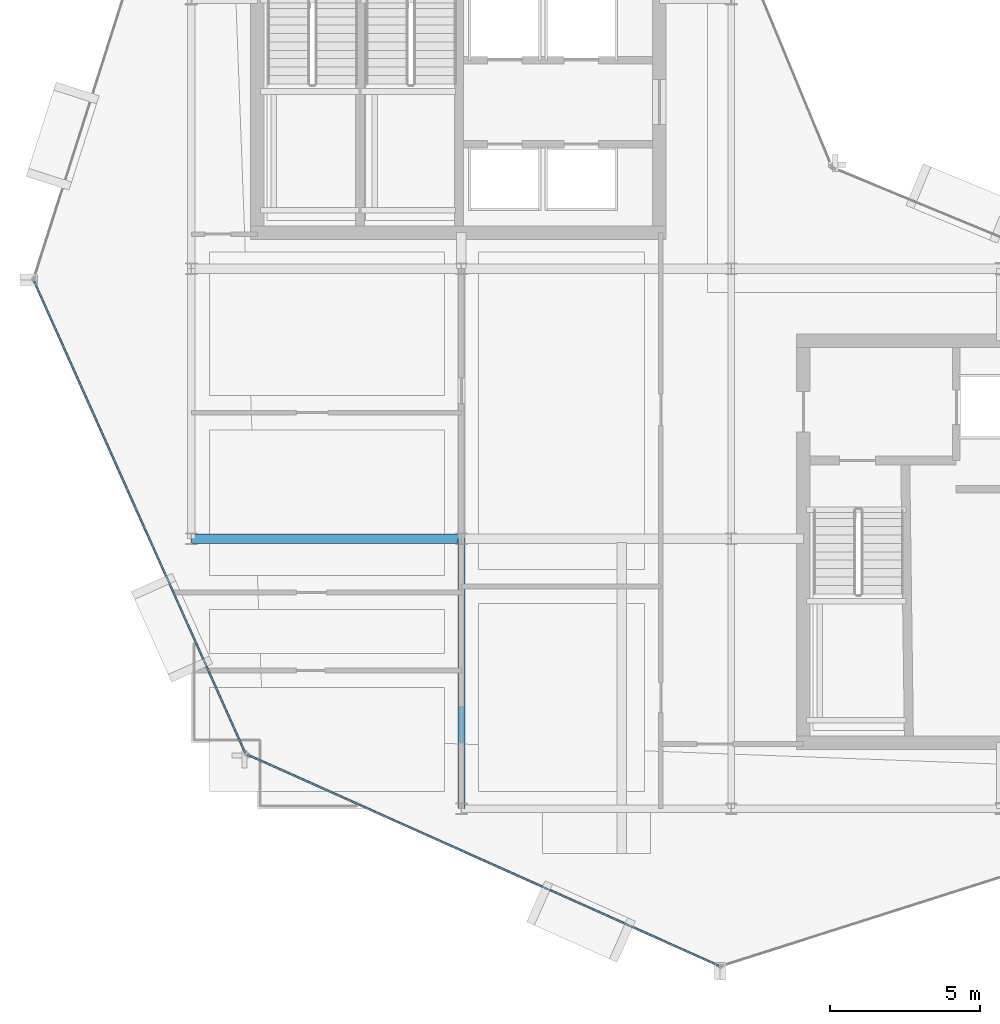
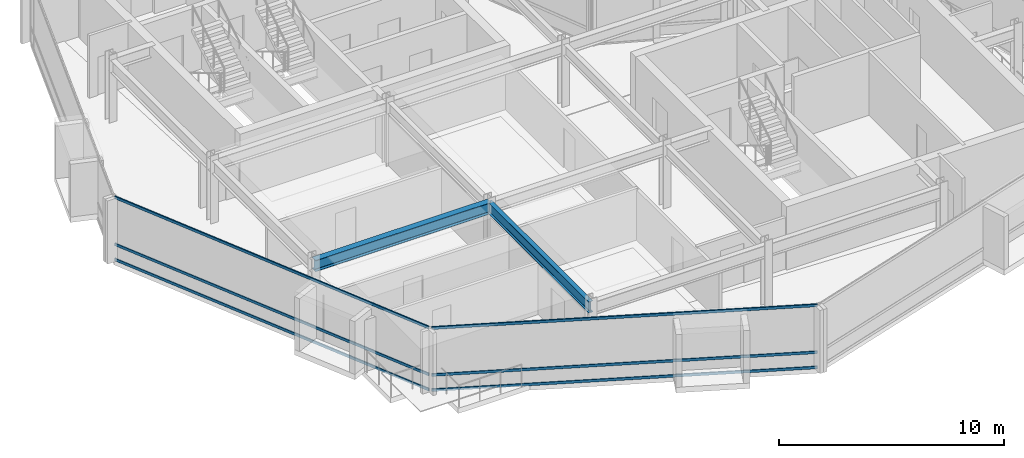
# One storey, part 3 of 19: 6 members, 2 beams, 2 elements without a shape of their own.
"""IFC4 building model written with IfcOpenShell, lengths in metres."""

from ifc_helpers import new_model, si_unit, direction, frame, origin, origin_2d, place, context, subcontext, project, spatial, hollow_rectangle, i_section, extrude, material, layer, layer_set, material_profile, profile_set, type_object, element, aggregate, save


model = new_model("IFC4")

# Units and contexts
model_context = context("Model", 3, precision=1e-05, world=origin(), true_north=direction((0.0, 1.0)))
body_context = subcontext(model_context, "Body", "Model", "MODEL_VIEW")
ifc_project = project(units=[si_unit("LENGTHUNIT", "METRE"), si_unit("AREAUNIT", "SQUARE_METRE"), si_unit("VOLUMEUNIT", "CUBIC_METRE"), si_unit("PLANEANGLEUNIT", "RADIAN"), si_unit("MASSUNIT", "GRAM", prefix="KILO")], contexts=[model_context])

# Site, building, storey
site_placement = place(None, origin())
site = spatial("IfcSite", under=ifc_project, at=site_placement, CompositionType="ELEMENT")
building_placement = place(site_placement, origin())
building = spatial("IfcBuilding", under=site, at=building_placement, Name="Solvaryn Broadcast Tower", CompositionType="ELEMENT")
storey_placement = place(building_placement, frame((0.0, 0.0, 244.5)))
storey = spatial("IfcBuildingStorey", under=building, at=storey_placement, Name="L61", CompositionType="ELEMENT", Elevation=244.5)

# Beams
ifc_material_1 = material(Name="Steel ASTM A992 Grade 50", Category="steel")
ifc_material_profile_1 = material_profile(ifc_material_1, i_section(OverallWidth=0.323974609375, OverallDepth=0.611083984375, WebThickness=0.0126953125, FlangeThickness=0.01904296875, FilletRadius=0.014892578125, at=origin_2d()))
ifc_profile_set_1 = profile_set([ifc_material_profile_1], Name="Steel ASTM A992 Grade 50")
beam_type_1 = type_object("IfcBeamType", Name="BM-B1-W24X104", PredefinedType="BEAM", material=ifc_profile_set_1)
beam_1_placement = place(storey_placement, frame((9.0, 18.0, 3.114501953125), z_axis=(1.0, 0.0, 0.0), x_axis=(0.0, 1.0, 0.0)))
element("IfcBeam", 1, at=beam_1_placement, inside=storey, type_object=beam_type_1, Name="L61 Primary Beam X (9-18 @ Y=18)", PredefinedType="BEAM", context=body_context, shape_type="SweptSolid", body=[
    extrude(i_section(OverallWidth=0.323974609375, OverallDepth=0.611083984375, WebThickness=0.0126953125, FlangeThickness=0.01904296875, FilletRadius=0.014892578125, at=origin_2d()), origin(), (0.0, 0.0, 1.0), 9.0),
])
ifc_material_2 = material(Name="Steel ASTM A992 Grade 50", Category="steel")
ifc_material_profile_2 = material_profile(ifc_material_2, i_section(OverallWidth=0.22802734375, OverallDepth=0.60791015625, WebThickness=0.01123046875, FlangeThickness=0.017333984375, FilletRadius=0.014892578125, at=origin_2d()))
ifc_profile_set_2 = profile_set([ifc_material_profile_2], Name="Steel ASTM A992 Grade 50")
beam_type_2 = type_object("IfcBeamType", Name="BM-B2-W24X76", PredefinedType="BEAM", material=ifc_profile_set_2)
beam_2_placement = place(storey_placement, frame((18.0, 9.0, 3.115966796875), z_axis=(0.0, 1.0, 0.0), x_axis=(-1.0, 0.0, 0.0)))
element("IfcBeam", 2, at=beam_2_placement, inside=storey, type_object=beam_type_2, Name="L61 Primary Beam Y (9-18 @ X=18)", PredefinedType="BEAM", context=body_context, shape_type="SweptSolid", body=[
    extrude(i_section(OverallWidth=0.22802734375, OverallDepth=0.60791015625, WebThickness=0.01123046875, FlangeThickness=0.017333984375, FilletRadius=0.014892578125, at=origin_2d()), origin(), (0.0, 0.0, 1.0), 9.0),
])

# Curtain wall, members
ifc_material_3 = material(Name="Aluminium and Terracotta Unitised Curtain Wall", Category="masonry")
ifc_layer_1 = layer(ifc_material_3, 0.239990234375)
ifc_layer_set_1 = layer_set([ifc_layer_1], Name="CW-SYS3-BAYBOX")
curtain_wall_type_1 = type_object("IfcCurtainWallType", Name="CW-SYS3-BAYBOX", PredefinedType="NOTDEFINED", material=ifc_layer_set_1)
curtain_wall_1_placement = place(storey_placement, origin())
curtain_wall_1 = element("IfcCurtainWall", 3, at=curtain_wall_1_placement, inside=storey, type_object=curtain_wall_type_1, Name="L61 Curtain Wall DR2", PredefinedType="NOTDEFINED")
ifc_material_4 = material(Name="Anodised Aluminium 6063-T6", Category="aluminium")
ifc_material_profile_3 = material_profile(ifc_material_4, hollow_rectangle(XDim=0.06494140625, YDim=0.14990234375, WallThickness=0.00390625, InnerFilletRadius=0.00390625, OuterFilletRadius=0.008056640625, at=origin_2d()))
ifc_profile_set_3 = profile_set([ifc_material_profile_3], Name="Anodised Aluminium 6063-T6")
member_type = type_object("IfcMemberType", Name="CW-TRN-150", PredefinedType="USERDEFINED", material=ifc_profile_set_3)
member_1_placement = place(storey_placement, frame((3.762451171875, 26.581298828125, 0.030029296875), z_axis=(0.408468080937, -0.912772604133, 0.0), x_axis=(0.912772604133, 0.408468080937, 0.0)))
member_1 = element("IfcMember", 4, at=member_1_placement, type_object=member_type, Name="CWS3 transom 1.1", ObjectType="TRANSOM", PredefinedType="USERDEFINED", context=body_context, shape_type="SweptSolid", body=[
    extrude(hollow_rectangle(XDim=0.06494140625, YDim=0.14990234375, WallThickness=0.00390625, InnerFilletRadius=0.00390625, OuterFilletRadius=0.008056640625, at=origin_2d()), origin(), (0.0, 0.0, 1.0), 17.210693359375),
])
member_2_placement = place(storey_placement, frame((3.762451171875, 26.581298828125, 0.85009765625), z_axis=(0.408468080937, -0.912772604133, 0.0), x_axis=(0.912772604133, 0.408468080937, 0.0)))
member_2 = element("IfcMember", 5, at=member_2_placement, type_object=member_type, Name="CWS3 transom 1.2", ObjectType="TRANSOM", PredefinedType="USERDEFINED", context=body_context, shape_type="SweptSolid", body=[
    extrude(hollow_rectangle(XDim=0.06494140625, YDim=0.14990234375, WallThickness=0.00390625, InnerFilletRadius=0.00390625, OuterFilletRadius=0.008056640625, at=origin_2d()), origin(), (0.0, 0.0, 1.0), 17.210693359375),
])
member_3_placement = place(storey_placement, frame((3.762451171875, 26.581298828125, 3.389892578125), z_axis=(0.408468080937, -0.912772604133, 0.0), x_axis=(0.912772604133, 0.408468080937, 0.0)))
member_3 = element("IfcMember", 6, at=member_3_placement, type_object=member_type, Name="CWS3 transom 1.3", ObjectType="TRANSOM", PredefinedType="USERDEFINED", context=body_context, shape_type="SweptSolid", body=[
    extrude(hollow_rectangle(XDim=0.06494140625, YDim=0.14990234375, WallThickness=0.00390625, InnerFilletRadius=0.00390625, OuterFilletRadius=0.008056640625, at=origin_2d()), origin(), (0.0, 0.0, 1.0), 17.210693359375),
])
aggregate(curtain_wall_1, [member_1, member_2, member_3])

ifc_material_5 = material(Name="Aluminium and Terracotta Unitised Curtain Wall", Category="masonry")
ifc_layer_2 = layer(ifc_material_5, 0.199951171875)
ifc_layer_set_2 = layer_set([ifc_layer_2], Name="CW-SYS2-LOWMID")
curtain_wall_type_2 = type_object("IfcCurtainWallType", Name="CW-SYS2-LOWMID", PredefinedType="NOTDEFINED", material=ifc_layer_set_2)
curtain_wall_2_placement = place(storey_placement, origin())
curtain_wall_2 = element("IfcCurtainWall", 7, at=curtain_wall_2_placement, inside=storey, type_object=curtain_wall_type_2, Name="L61 Curtain Wall DR3", PredefinedType="NOTDEFINED")
member_4_placement = place(storey_placement, frame((10.871826171875, 10.79248046875, 0.030029296875), z_axis=(0.912772604133, -0.408468080937, 0.0), x_axis=(0.408468080937, 0.912772604133, 0.0)))
member_4 = element("IfcMember", 8, at=member_4_placement, type_object=member_type, Name="CWS2 transom 1.1", ObjectType="TRANSOM", PredefinedType="USERDEFINED", context=body_context, shape_type="SweptSolid", body=[
    extrude(hollow_rectangle(XDim=0.06494140625, YDim=0.14990234375, WallThickness=0.00390625, InnerFilletRadius=0.00390625, OuterFilletRadius=0.008056640625, at=origin_2d()), origin(), (0.0, 0.0, 1.0), 17.210693359375),
])
member_5_placement = place(storey_placement, frame((10.871826171875, 10.79248046875, 0.85009765625), z_axis=(0.912772604133, -0.408468080937, 0.0), x_axis=(0.408468080937, 0.912772604133, 0.0)))
member_5 = element("IfcMember", 9, at=member_5_placement, type_object=member_type, Name="CWS2 transom 1.2", ObjectType="TRANSOM", PredefinedType="USERDEFINED", context=body_context, shape_type="SweptSolid", body=[
    extrude(hollow_rectangle(XDim=0.06494140625, YDim=0.14990234375, WallThickness=0.00390625, InnerFilletRadius=0.00390625, OuterFilletRadius=0.008056640625, at=origin_2d()), origin(), (0.0, 0.0, 1.0), 17.210693359375),
])
member_6_placement = place(storey_placement, frame((10.871826171875, 10.79248046875, 3.389892578125), z_axis=(0.912772604133, -0.408468080937, 0.0), x_axis=(0.408468080937, 0.912772604133, 0.0)))
member_6 = element("IfcMember", 10, at=member_6_placement, type_object=member_type, Name="CWS2 transom 1.3", ObjectType="TRANSOM", PredefinedType="USERDEFINED", context=body_context, shape_type="SweptSolid", body=[
    extrude(hollow_rectangle(XDim=0.06494140625, YDim=0.14990234375, WallThickness=0.00390625, InnerFilletRadius=0.00390625, OuterFilletRadius=0.008056640625, at=origin_2d()), origin(), (0.0, 0.0, 1.0), 17.210693359375),
])
aggregate(curtain_wall_2, [member_4, member_5, member_6])

save(model, "model.ifc")
